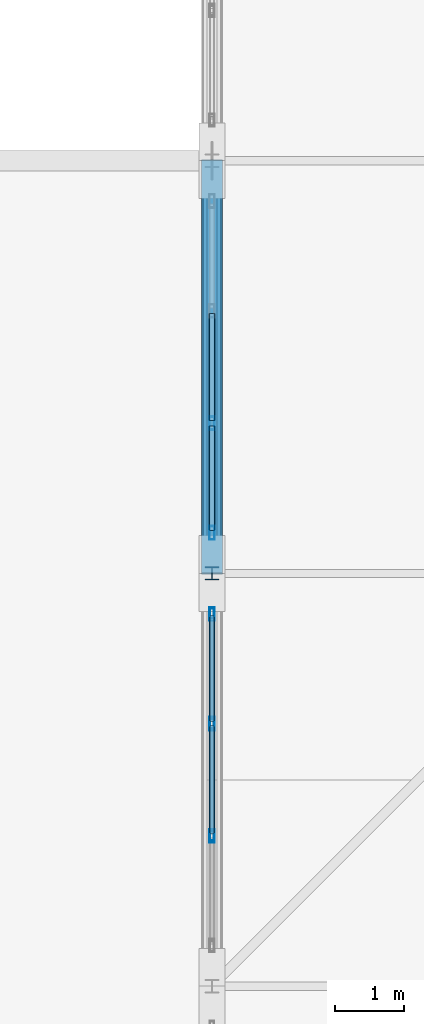
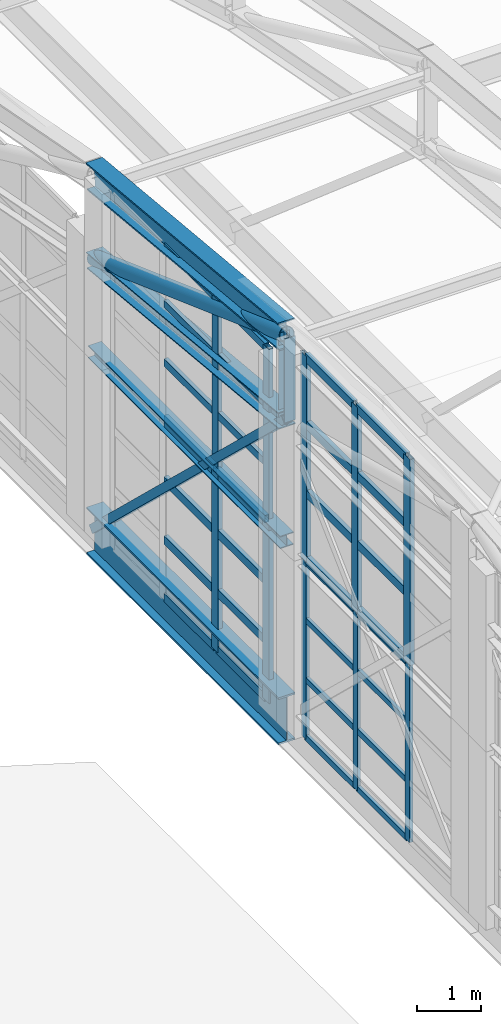
# One storey, part 82 of 204: 49 members, 4 elements without a shape of their own.
"""IFC4 building model written with IfcOpenShell, lengths in metres."""

from ifc_helpers import new_model, si_unit, direction, frame, origin, origin_2d, place, context, subcontext, project, spatial, hollow_rectangle, hollow_circle, i_section, extrude, material, layer, layer_set, material_profile, profile_set, type_object, element, aggregate, save


model = new_model("IFC4")

# Units and contexts
model_context = context("Model", 3, precision=1e-05, world=origin(), true_north=direction((0.0, 1.0)))
body_context = subcontext(model_context, "Body", "Model", "MODEL_VIEW")
ifc_project = project(units=[si_unit("LENGTHUNIT", "METRE"), si_unit("AREAUNIT", "SQUARE_METRE"), si_unit("VOLUMEUNIT", "CUBIC_METRE"), si_unit("PLANEANGLEUNIT", "RADIAN"), si_unit("MASSUNIT", "GRAM", prefix="KILO")], contexts=[model_context])

# Site, building, storey
site_placement = place(None, origin())
site = spatial("IfcSite", under=ifc_project, at=site_placement, CompositionType="ELEMENT")
building_placement = place(site_placement, origin())
building = spatial("IfcBuilding", under=site, at=building_placement, Name="Zilviju Railside Exhibition Hall", CompositionType="ELEMENT")
storey_placement = place(building_placement, frame((0.0, 0.0, 21.0)))
storey = spatial("IfcBuildingStorey", under=building, at=storey_placement, Name="RF", CompositionType="ELEMENT", Elevation=21.0)

# Curtain wall, members
ifc_material_1 = material(Name="Thermally broken aluminium-steel triple-glazed curtain wall", Category="steel")
ifc_layer_1 = layer(ifc_material_1, 0.179931640625)
ifc_layer_set_1 = layer_set([ifc_layer_1], Name="Thermally broken aluminium-steel triple-glazed curtain wall")
curtain_wall_type_1 = type_object("IfcCurtainWallType", Name="CW-BAY-03", PredefinedType="USERDEFINED", material=ifc_layer_set_1)
curtain_wall_1_placement = place(storey_placement, origin())
curtain_wall_1 = element("IfcCurtainWall", 1, at=curtain_wall_1_placement, inside=storey, type_object=curtain_wall_type_1, Name="North Hall Arch Lower Tympanum Glazing West P5", ObjectType="GLAZED CURTAIN WALL", PredefinedType="USERDEFINED")
ifc_material_2 = material(Name="Thermally broken anodized aluminium mullion", Category="aluminium")
ifc_material_profile_1 = material_profile(ifc_material_2, hollow_rectangle(XDim=0.06005859375, YDim=0.139892578125, WallThickness=0.0048828125, at=origin_2d()), Name="MULLION 140x60x5")
ifc_profile_set_1 = profile_set([ifc_material_profile_1], Name="Thermally broken anodized aluminium mullion")
member_type_1 = type_object("IfcMemberType", Name="CWM-60x140", PredefinedType="MULLION", material=ifc_profile_set_1)
member_1_placement = place(storey_placement, frame((78.0, 110.183349609375, -3.60009765625), z_axis=(0.0, 0.0, 1.0), x_axis=(-1.0, 0.0, 0.0)))
member_1 = element("IfcMember", 2, at=member_1_placement, type_object=member_type_1, Name="CW-03 mullion 2", PredefinedType="MULLION", context=body_context, shape_type="SweptSolid", body=[
    extrude(hollow_rectangle(XDim=0.06005859375, YDim=0.139892578125, WallThickness=0.0048828125, at=origin_2d()), origin(), (0.0, 0.0, 1.0), 3.400146484375),
])
member_2_placement = place(storey_placement, frame((78.0, 111.816650390625, -3.60009765625), z_axis=(0.0, 0.0, 1.0), x_axis=(-1.0, 0.0, 0.0)))
member_2 = element("IfcMember", 3, at=member_2_placement, type_object=member_type_1, Name="CW-03 mullion 3", PredefinedType="MULLION", context=body_context, shape_type="SweptSolid", body=[
    extrude(hollow_rectangle(XDim=0.06005859375, YDim=0.139892578125, WallThickness=0.0048828125, at=origin_2d()), origin(), (0.0, 0.0, 1.0), 3.400146484375),
])
member_3_placement = place(storey_placement, frame((78.0, 113.419921875, -3.60009765625), z_axis=(0.0, 0.0, 1.0), x_axis=(-1.0, 0.0, 0.0)))
member_3 = element("IfcMember", 4, at=member_3_placement, type_object=member_type_1, Name="CW-03 mullion 4", PredefinedType="MULLION", context=body_context, shape_type="SweptSolid", body=[
    extrude(hollow_rectangle(XDim=0.06005859375, YDim=0.139892578125, WallThickness=0.0048828125, at=origin_2d()), origin(), (0.0, 0.0, 1.0), 3.400146484375),
])

ifc_layer_2 = layer(ifc_material_1, 0.179931640625)
ifc_layer_set_2 = layer_set([ifc_layer_2], Name="Thermally broken aluminium-steel triple-glazed curtain wall")
curtain_wall_type_2 = type_object("IfcCurtainWallType", Name="CW-BAY-11", PredefinedType="USERDEFINED", material=ifc_layer_set_2)
curtain_wall_2_placement = place(storey_placement, origin())
curtain_wall_2 = element("IfcCurtainWall", 5, at=curtain_wall_2_placement, inside=storey, type_object=curtain_wall_type_2, Name="North Hall Crown Arch Tympanum Glazing West P6", ObjectType="GLAZED CURTAIN WALL", PredefinedType="USERDEFINED")
ifc_material_profile_2 = material_profile(ifc_material_2, hollow_rectangle(XDim=0.074951171875, YDim=0.18994140625, WallThickness=0.0048828125, at=origin_2d()), Name="MULLION 190x75x5")
ifc_profile_set_2 = profile_set([ifc_material_profile_2], Name="Thermally broken anodized aluminium mullion")
member_type_2 = type_object("IfcMemberType", Name="CWM-75x190", PredefinedType="MULLION", material=ifc_profile_set_2)
member_4_placement = place(storey_placement, frame((78.0, 114.58740234375, -0.199951171875), z_axis=(0.0, 0.0, 1.0), x_axis=(-1.0, 0.0, 0.0)))
member_4 = element("IfcMember", 6, at=member_4_placement, type_object=member_type_2, Name="CW-11 mullion 1", PredefinedType="MULLION", context=body_context, shape_type="SweptSolid", body=[
    extrude(hollow_rectangle(XDim=0.074951171875, YDim=0.18994140625, WallThickness=0.0048828125, at=origin_2d()), origin(), (0.0, 0.0, 1.0), 3.35546875),
])
member_5_placement = place(storey_placement, frame((78.0, 116.183349609375, -0.199951171875), z_axis=(0.0, 0.0, 1.0), x_axis=(-1.0, 0.0, 0.0)))
member_5 = element("IfcMember", 7, at=member_5_placement, type_object=member_type_2, Name="CW-11 mullion 2", PredefinedType="MULLION", context=body_context, shape_type="SweptSolid", body=[
    extrude(hollow_rectangle(XDim=0.074951171875, YDim=0.18994140625, WallThickness=0.0048828125, at=origin_2d()), origin(), (0.0, 0.0, 1.0), 3.35546875),
])

ifc_layer_3 = layer(ifc_material_1, 0.179931640625)
ifc_layer_set_3 = layer_set([ifc_layer_3], Name="Thermally broken aluminium-steel triple-glazed curtain wall")
curtain_wall_type_3 = type_object("IfcCurtainWallType", Name="CW-BAY-04", PredefinedType="USERDEFINED", material=ifc_layer_set_3)
curtain_wall_3_placement = place(storey_placement, origin())
curtain_wall_3 = element("IfcCurtainWall", 8, at=curtain_wall_3_placement, inside=storey, type_object=curtain_wall_type_3, Name="North Hall Arch Lower Tympanum Glazing West P6", ObjectType="GLAZED CURTAIN WALL", PredefinedType="USERDEFINED")
ifc_material_profile_3 = material_profile(ifc_material_2, hollow_rectangle(XDim=0.080078125, YDim=0.199951171875, WallThickness=0.0048828125, at=origin_2d()), Name="MULLION 200x80x5")
ifc_profile_set_3 = profile_set([ifc_material_profile_3], Name="Thermally broken anodized aluminium mullion")
member_type_3 = type_object("IfcMemberType", Name="CWM-80x200", PredefinedType="MULLION", material=ifc_profile_set_3)
member_6_placement = place(storey_placement, frame((78.0, 114.590087890625, -3.60009765625), z_axis=(0.0, 0.0, 1.0), x_axis=(-1.0, 0.0, 0.0)))
member_6 = element("IfcMember", 9, at=member_6_placement, type_object=member_type_3, Name="CW-04 mullion 1", PredefinedType="MULLION", context=body_context, shape_type="SweptSolid", body=[
    extrude(hollow_rectangle(XDim=0.080078125, YDim=0.199951171875, WallThickness=0.0048828125, at=origin_2d()), origin(), (0.0, 0.0, 1.0), 3.400146484375),
])
member_7_placement = place(storey_placement, frame((78.0, 116.183349609375, -3.60009765625), z_axis=(0.0, 0.0, 1.0), x_axis=(-1.0, 0.0, 0.0)))
member_7 = element("IfcMember", 10, at=member_7_placement, type_object=member_type_3, Name="CW-04 mullion 2", PredefinedType="MULLION", context=body_context, shape_type="SweptSolid", body=[
    extrude(hollow_rectangle(XDim=0.080078125, YDim=0.199951171875, WallThickness=0.0048828125, at=origin_2d()), origin(), (0.0, 0.0, 1.0), 3.400146484375),
])

ifc_layer_4 = layer(ifc_material_1, 0.179931640625)
ifc_layer_set_4 = layer_set([ifc_layer_4], Name="Thermally broken aluminium-steel triple-glazed curtain wall")
curtain_wall_type_4 = type_object("IfcCurtainWallType", Name="CW-BAY-10", PredefinedType="USERDEFINED", material=ifc_layer_set_4)
curtain_wall_4_placement = place(storey_placement, origin())
curtain_wall_4 = element("IfcCurtainWall", 11, at=curtain_wall_4_placement, inside=storey, type_object=curtain_wall_type_4, Name="North Hall Crown Arch Tympanum Glazing West P5", ObjectType="GLAZED CURTAIN WALL", PredefinedType="USERDEFINED")
member_8_placement = place(storey_placement, frame((78.0, 110.183349609375, -0.199951171875), z_axis=(0.0, 0.0, 1.0), x_axis=(-1.0, 0.0, 0.0)))
member_8 = element("IfcMember", 12, at=member_8_placement, type_object=member_type_3, Name="CW-10 mullion 2", PredefinedType="MULLION", context=body_context, shape_type="SweptSolid", body=[
    extrude(hollow_rectangle(XDim=0.080078125, YDim=0.199951171875, WallThickness=0.0048828125, at=origin_2d()), origin(), (0.0, 0.0, 1.0), 3.928466796875),
])
member_9_placement = place(storey_placement, frame((78.0, 111.816650390625, -0.199951171875), z_axis=(0.0, 0.0, 1.0), x_axis=(-1.0, 0.0, 0.0)))
member_9 = element("IfcMember", 13, at=member_9_placement, type_object=member_type_3, Name="CW-10 mullion 3", PredefinedType="MULLION", context=body_context, shape_type="SweptSolid", body=[
    extrude(hollow_rectangle(XDim=0.080078125, YDim=0.199951171875, WallThickness=0.0048828125, at=origin_2d()), origin(), (0.0, 0.0, 1.0), 3.928466796875),
])
member_10_placement = place(storey_placement, frame((78.0, 113.409912109375, -0.199951171875), z_axis=(0.0, 0.0, 1.0), x_axis=(-1.0, 0.0, 0.0)))
member_10 = element("IfcMember", 14, at=member_10_placement, type_object=member_type_3, Name="CW-10 mullion 4", PredefinedType="MULLION", context=body_context, shape_type="SweptSolid", body=[
    extrude(hollow_rectangle(XDim=0.080078125, YDim=0.199951171875, WallThickness=0.0048828125, at=origin_2d()), origin(), (0.0, 0.0, 1.0), 3.928466796875),
])

# Member
ifc_material_3 = material(Name="Thermally broken anodized aluminium transom", Category="aluminium")
ifc_material_profile_4 = material_profile(ifc_material_3, hollow_rectangle(XDim=0.06005859375, YDim=0.110107421875, WallThickness=0.0048828125, at=origin_2d()), Name="TRANSOM 110x60x5")
ifc_profile_set_4 = profile_set([ifc_material_profile_4], Name="Thermally broken anodized aluminium transom")
member_type_4 = type_object("IfcMemberType", Name="CWT-60x110", PredefinedType="USERDEFINED", material=ifc_profile_set_4)
member_11_placement = place(storey_placement, frame((78.0, 110.21337890625, -3.570068359375), z_axis=(0.0, 1.0, 0.0), x_axis=(-1.0, 0.0, 0.0)))
member_11 = element("IfcMember", 15, at=member_11_placement, type_object=member_type_4, Name="CW-03 transom 2.1", ObjectType="TRANSOM", PredefinedType="USERDEFINED", context=body_context, shape_type="SweptSolid", body=[
    extrude(hollow_rectangle(XDim=0.06005859375, YDim=0.110107421875, WallThickness=0.0048828125, at=origin_2d()), origin(), (0.0, 0.0, 1.0), 1.5732421875),
])

member_12_placement = place(storey_placement, frame((78.0, 110.21337890625, -2.467041015625), z_axis=(0.0, 1.0, 0.0), x_axis=(-1.0, 0.0, 0.0)))
member_12 = element("IfcMember", 16, at=member_12_placement, type_object=member_type_4, Name="CW-03 transom 2.2", ObjectType="TRANSOM", PredefinedType="USERDEFINED", context=body_context, shape_type="SweptSolid", body=[
    extrude(hollow_rectangle(XDim=0.06005859375, YDim=0.110107421875, WallThickness=0.0048828125, at=origin_2d()), origin(), (0.0, 0.0, 1.0), 1.5732421875),
])

member_13_placement = place(storey_placement, frame((78.0, 110.21337890625, -1.3330078125), z_axis=(0.0, 1.0, 0.0), x_axis=(-1.0, 0.0, 0.0)))
member_13 = element("IfcMember", 17, at=member_13_placement, type_object=member_type_4, Name="CW-03 transom 2.3", ObjectType="TRANSOM", PredefinedType="USERDEFINED", context=body_context, shape_type="SweptSolid", body=[
    extrude(hollow_rectangle(XDim=0.06005859375, YDim=0.110107421875, WallThickness=0.0048828125, at=origin_2d()), origin(), (0.0, 0.0, 1.0), 1.5732421875),
])

member_14_placement = place(storey_placement, frame((78.0, 110.21337890625, -0.22998046875), z_axis=(0.0, 1.0, 0.0), x_axis=(-1.0, 0.0, 0.0)))
member_14 = element("IfcMember", 18, at=member_14_placement, type_object=member_type_4, Name="CW-03 transom 2.4", ObjectType="TRANSOM", PredefinedType="USERDEFINED", context=body_context, shape_type="SweptSolid", body=[
    extrude(hollow_rectangle(XDim=0.06005859375, YDim=0.110107421875, WallThickness=0.0048828125, at=origin_2d()), origin(), (0.0, 0.0, 1.0), 1.5732421875),
])

member_15_placement = place(storey_placement, frame((78.0, 111.8466796875, -3.570068359375), z_axis=(0.0, 1.0, 0.0), x_axis=(-1.0, 0.0, 0.0)))
member_15 = element("IfcMember", 19, at=member_15_placement, type_object=member_type_4, Name="CW-03 transom 3.1", ObjectType="TRANSOM", PredefinedType="USERDEFINED", context=body_context, shape_type="SweptSolid", body=[
    extrude(hollow_rectangle(XDim=0.06005859375, YDim=0.110107421875, WallThickness=0.0048828125, at=origin_2d()), origin(), (0.0, 0.0, 1.0), 1.543212890625),
])

member_16_placement = place(storey_placement, frame((78.0, 111.8466796875, -2.467041015625), z_axis=(0.0, 1.0, 0.0), x_axis=(-1.0, 0.0, 0.0)))
member_16 = element("IfcMember", 20, at=member_16_placement, type_object=member_type_4, Name="CW-03 transom 3.2", ObjectType="TRANSOM", PredefinedType="USERDEFINED", context=body_context, shape_type="SweptSolid", body=[
    extrude(hollow_rectangle(XDim=0.06005859375, YDim=0.110107421875, WallThickness=0.0048828125, at=origin_2d()), origin(), (0.0, 0.0, 1.0), 1.543212890625),
])

member_17_placement = place(storey_placement, frame((78.0, 111.8466796875, -1.3330078125), z_axis=(0.0, 1.0, 0.0), x_axis=(-1.0, 0.0, 0.0)))
member_17 = element("IfcMember", 21, at=member_17_placement, type_object=member_type_4, Name="CW-03 transom 3.3", ObjectType="TRANSOM", PredefinedType="USERDEFINED", context=body_context, shape_type="SweptSolid", body=[
    extrude(hollow_rectangle(XDim=0.06005859375, YDim=0.110107421875, WallThickness=0.0048828125, at=origin_2d()), origin(), (0.0, 0.0, 1.0), 1.543212890625),
])

member_18_placement = place(storey_placement, frame((78.0, 111.8466796875, -0.22998046875), z_axis=(0.0, 1.0, 0.0), x_axis=(-1.0, 0.0, 0.0)))
member_18 = element("IfcMember", 22, at=member_18_placement, type_object=member_type_4, Name="CW-03 transom 3.4", ObjectType="TRANSOM", PredefinedType="USERDEFINED", context=body_context, shape_type="SweptSolid", body=[
    extrude(hollow_rectangle(XDim=0.06005859375, YDim=0.110107421875, WallThickness=0.0048828125, at=origin_2d()), origin(), (0.0, 0.0, 1.0), 1.543212890625),
])

aggregate(curtain_wall_1, [member_1, member_2, member_3, member_11, member_12, member_13, member_14, member_15, member_16, member_17, member_18])

ifc_material_profile_5 = material_profile(ifc_material_3, hollow_rectangle(XDim=0.074951171875, YDim=0.139892578125, WallThickness=0.0048828125, at=origin_2d()), Name="TRANSOM 140x75x5")
ifc_profile_set_5 = profile_set([ifc_material_profile_5], Name="Thermally broken anodized aluminium transom")
member_type_5 = type_object("IfcMemberType", Name="CWT-75x140", PredefinedType="USERDEFINED", material=ifc_profile_set_5)
member_19_placement = place(storey_placement, frame((78.0, 114.625, -0.16259765625), z_axis=(0.0, 1.0, 0.0), x_axis=(-1.0, 0.0, 0.0)))
member_19 = element("IfcMember", 23, at=member_19_placement, type_object=member_type_5, Name="CW-11 transom 1.1", ObjectType="TRANSOM", PredefinedType="USERDEFINED", context=body_context, shape_type="SweptSolid", body=[
    extrude(hollow_rectangle(XDim=0.074951171875, YDim=0.139892578125, WallThickness=0.0048828125, at=origin_2d()), origin(), (0.0, 0.0, 1.0), 1.520751953125),
])

member_20_placement = place(storey_placement, frame((78.0, 114.625, 0.9189453125), z_axis=(0.0, 1.0, 0.0), x_axis=(-1.0, 0.0, 0.0)))
member_20 = element("IfcMember", 24, at=member_20_placement, type_object=member_type_5, Name="CW-11 transom 1.2", ObjectType="TRANSOM", PredefinedType="USERDEFINED", context=body_context, shape_type="SweptSolid", body=[
    extrude(hollow_rectangle(XDim=0.074951171875, YDim=0.139892578125, WallThickness=0.0048828125, at=origin_2d()), origin(), (0.0, 0.0, 1.0), 1.520751953125),
])

member_21_placement = place(storey_placement, frame((78.0, 114.625, 2.037109375), z_axis=(0.0, 1.0, 0.0), x_axis=(-1.0, 0.0, 0.0)))
member_21 = element("IfcMember", 25, at=member_21_placement, type_object=member_type_5, Name="CW-11 transom 1.3", ObjectType="TRANSOM", PredefinedType="USERDEFINED", context=body_context, shape_type="SweptSolid", body=[
    extrude(hollow_rectangle(XDim=0.074951171875, YDim=0.139892578125, WallThickness=0.0048828125, at=origin_2d()), origin(), (0.0, 0.0, 1.0), 1.520751953125),
])

member_22_placement = place(storey_placement, frame((78.0, 114.625, 3.1181640625), z_axis=(0.0, 1.0, 0.0), x_axis=(-1.0, 0.0, 0.0)))
member_22 = element("IfcMember", 26, at=member_22_placement, type_object=member_type_5, Name="CW-11 transom 1.4", ObjectType="TRANSOM", PredefinedType="USERDEFINED", context=body_context, shape_type="SweptSolid", body=[
    extrude(hollow_rectangle(XDim=0.074951171875, YDim=0.139892578125, WallThickness=0.0048828125, at=origin_2d()), origin(), (0.0, 0.0, 1.0), 1.520751953125),
])

member_23_placement = place(storey_placement, frame((78.0, 116.220947265625, -0.16259765625), z_axis=(0.0, 1.0, 0.0), x_axis=(-1.0, 0.0, 0.0)))
member_23 = element("IfcMember", 27, at=member_23_placement, type_object=member_type_5, Name="CW-11 transom 2.1", ObjectType="TRANSOM", PredefinedType="USERDEFINED", context=body_context, shape_type="SweptSolid", body=[
    extrude(hollow_rectangle(XDim=0.074951171875, YDim=0.139892578125, WallThickness=0.0048828125, at=origin_2d()), origin(), (0.0, 0.0, 1.0), 1.55810546875),
])

member_24_placement = place(storey_placement, frame((78.0, 116.220947265625, 0.9189453125), z_axis=(0.0, 1.0, 0.0), x_axis=(-1.0, 0.0, 0.0)))
member_24 = element("IfcMember", 28, at=member_24_placement, type_object=member_type_5, Name="CW-11 transom 2.2", ObjectType="TRANSOM", PredefinedType="USERDEFINED", context=body_context, shape_type="SweptSolid", body=[
    extrude(hollow_rectangle(XDim=0.074951171875, YDim=0.139892578125, WallThickness=0.0048828125, at=origin_2d()), origin(), (0.0, 0.0, 1.0), 1.55810546875),
])

member_25_placement = place(storey_placement, frame((78.0, 116.220947265625, 2.037109375), z_axis=(0.0, 1.0, 0.0), x_axis=(-1.0, 0.0, 0.0)))
member_25 = element("IfcMember", 29, at=member_25_placement, type_object=member_type_5, Name="CW-11 transom 2.3", ObjectType="TRANSOM", PredefinedType="USERDEFINED", context=body_context, shape_type="SweptSolid", body=[
    extrude(hollow_rectangle(XDim=0.074951171875, YDim=0.139892578125, WallThickness=0.0048828125, at=origin_2d()), origin(), (0.0, 0.0, 1.0), 1.55810546875),
])

member_26_placement = place(storey_placement, frame((78.0, 116.220947265625, 3.1181640625), z_axis=(0.0, 1.0, 0.0), x_axis=(-1.0, 0.0, 0.0)))
member_26 = element("IfcMember", 30, at=member_26_placement, type_object=member_type_5, Name="CW-11 transom 2.4", ObjectType="TRANSOM", PredefinedType="USERDEFINED", context=body_context, shape_type="SweptSolid", body=[
    extrude(hollow_rectangle(XDim=0.074951171875, YDim=0.139892578125, WallThickness=0.0048828125, at=origin_2d()), origin(), (0.0, 0.0, 1.0), 1.55810546875),
])

aggregate(curtain_wall_2, [member_4, member_5, member_19, member_20, member_21, member_22, member_23, member_24, member_25, member_26])

ifc_material_profile_6 = material_profile(ifc_material_3, hollow_rectangle(XDim=0.080078125, YDim=0.159912109375, WallThickness=0.0048828125, at=origin_2d()), Name="TRANSOM 160x80x5")
ifc_profile_set_6 = profile_set([ifc_material_profile_6], Name="Thermally broken anodized aluminium transom")
member_type_6 = type_object("IfcMemberType", Name="CWT-80x160", PredefinedType="USERDEFINED", material=ifc_profile_set_6)
member_27_placement = place(storey_placement, frame((78.0, 114.6298828125, -3.56005859375), z_axis=(0.0, 1.0, 0.0), x_axis=(-1.0, 0.0, 0.0)))
member_27 = element("IfcMember", 31, at=member_27_placement, type_object=member_type_6, Name="CW-04 transom 1.1", ObjectType="TRANSOM", PredefinedType="USERDEFINED", context=body_context, shape_type="SweptSolid", body=[
    extrude(hollow_rectangle(XDim=0.080078125, YDim=0.159912109375, WallThickness=0.0048828125, at=origin_2d()), origin(), (0.0, 0.0, 1.0), 1.513427734375),
])

member_28_placement = place(storey_placement, frame((78.0, 114.6298828125, -2.467041015625), z_axis=(0.0, 1.0, 0.0), x_axis=(-1.0, 0.0, 0.0)))
member_28 = element("IfcMember", 32, at=member_28_placement, type_object=member_type_6, Name="CW-04 transom 1.2", ObjectType="TRANSOM", PredefinedType="USERDEFINED", context=body_context, shape_type="SweptSolid", body=[
    extrude(hollow_rectangle(XDim=0.080078125, YDim=0.159912109375, WallThickness=0.0048828125, at=origin_2d()), origin(), (0.0, 0.0, 1.0), 1.513427734375),
])

member_29_placement = place(storey_placement, frame((78.0, 114.6298828125, -1.3330078125), z_axis=(0.0, 1.0, 0.0), x_axis=(-1.0, 0.0, 0.0)))
member_29 = element("IfcMember", 33, at=member_29_placement, type_object=member_type_6, Name="CW-04 transom 1.3", ObjectType="TRANSOM", PredefinedType="USERDEFINED", context=body_context, shape_type="SweptSolid", body=[
    extrude(hollow_rectangle(XDim=0.080078125, YDim=0.159912109375, WallThickness=0.0048828125, at=origin_2d()), origin(), (0.0, 0.0, 1.0), 1.513427734375),
])

member_30_placement = place(storey_placement, frame((78.0, 114.6298828125, -0.239990234375), z_axis=(0.0, 1.0, 0.0), x_axis=(-1.0, 0.0, 0.0)))
member_30 = element("IfcMember", 34, at=member_30_placement, type_object=member_type_6, Name="CW-04 transom 1.4", ObjectType="TRANSOM", PredefinedType="USERDEFINED", context=body_context, shape_type="SweptSolid", body=[
    extrude(hollow_rectangle(XDim=0.080078125, YDim=0.159912109375, WallThickness=0.0048828125, at=origin_2d()), origin(), (0.0, 0.0, 1.0), 1.513427734375),
])

member_31_placement = place(storey_placement, frame((78.0, 116.223388671875, -3.56005859375), z_axis=(0.0, 1.0, 0.0), x_axis=(-1.0, 0.0, 0.0)))
member_31 = element("IfcMember", 35, at=member_31_placement, type_object=member_type_6, Name="CW-04 transom 2.1", ObjectType="TRANSOM", PredefinedType="USERDEFINED", context=body_context, shape_type="SweptSolid", body=[
    extrude(hollow_rectangle(XDim=0.080078125, YDim=0.159912109375, WallThickness=0.0048828125, at=origin_2d()), origin(), (0.0, 0.0, 1.0), 1.55322265625),
])

member_32_placement = place(storey_placement, frame((78.0, 116.223388671875, -2.467041015625), z_axis=(0.0, 1.0, 0.0), x_axis=(-1.0, 0.0, 0.0)))
member_32 = element("IfcMember", 36, at=member_32_placement, type_object=member_type_6, Name="CW-04 transom 2.2", ObjectType="TRANSOM", PredefinedType="USERDEFINED", context=body_context, shape_type="SweptSolid", body=[
    extrude(hollow_rectangle(XDim=0.080078125, YDim=0.159912109375, WallThickness=0.0048828125, at=origin_2d()), origin(), (0.0, 0.0, 1.0), 1.55322265625),
])

member_33_placement = place(storey_placement, frame((78.0, 116.223388671875, -1.3330078125), z_axis=(0.0, 1.0, 0.0), x_axis=(-1.0, 0.0, 0.0)))
member_33 = element("IfcMember", 37, at=member_33_placement, type_object=member_type_6, Name="CW-04 transom 2.3", ObjectType="TRANSOM", PredefinedType="USERDEFINED", context=body_context, shape_type="SweptSolid", body=[
    extrude(hollow_rectangle(XDim=0.080078125, YDim=0.159912109375, WallThickness=0.0048828125, at=origin_2d()), origin(), (0.0, 0.0, 1.0), 1.55322265625),
])

member_34_placement = place(storey_placement, frame((78.0, 116.223388671875, -0.239990234375), z_axis=(0.0, 1.0, 0.0), x_axis=(-1.0, 0.0, 0.0)))
member_34 = element("IfcMember", 38, at=member_34_placement, type_object=member_type_6, Name="CW-04 transom 2.4", ObjectType="TRANSOM", PredefinedType="USERDEFINED", context=body_context, shape_type="SweptSolid", body=[
    extrude(hollow_rectangle(XDim=0.080078125, YDim=0.159912109375, WallThickness=0.0048828125, at=origin_2d()), origin(), (0.0, 0.0, 1.0), 1.55322265625),
])

aggregate(curtain_wall_3, [member_6, member_7, member_27, member_28, member_29, member_30, member_31, member_32, member_33, member_34])

member_35_placement = place(storey_placement, frame((78.0, 110.223388671875, -0.159912109375), z_axis=(0.0, 1.0, 0.0), x_axis=(-1.0, 0.0, 0.0)))
member_35 = element("IfcMember", 39, at=member_35_placement, type_object=member_type_6, Name="CW-10 transom 2.1", ObjectType="TRANSOM", PredefinedType="USERDEFINED", context=body_context, shape_type="SweptSolid", body=[
    extrude(hollow_rectangle(XDim=0.080078125, YDim=0.159912109375, WallThickness=0.0048828125, at=origin_2d()), origin(), (0.0, 0.0, 1.0), 1.55322265625),
])

member_36_placement = place(storey_placement, frame((78.0, 110.223388671875, 1.10888671875), z_axis=(0.0, 1.0, 0.0), x_axis=(-1.0, 0.0, 0.0)))
member_36 = element("IfcMember", 40, at=member_36_placement, type_object=member_type_6, Name="CW-10 transom 2.2", ObjectType="TRANSOM", PredefinedType="USERDEFINED", context=body_context, shape_type="SweptSolid", body=[
    extrude(hollow_rectangle(XDim=0.080078125, YDim=0.159912109375, WallThickness=0.0048828125, at=origin_2d()), origin(), (0.0, 0.0, 1.0), 1.55322265625),
])

member_37_placement = place(storey_placement, frame((78.0, 110.223388671875, 2.4189453125), z_axis=(0.0, 1.0, 0.0), x_axis=(-1.0, 0.0, 0.0)))
member_37 = element("IfcMember", 41, at=member_37_placement, type_object=member_type_6, Name="CW-10 transom 2.3", ObjectType="TRANSOM", PredefinedType="USERDEFINED", context=body_context, shape_type="SweptSolid", body=[
    extrude(hollow_rectangle(XDim=0.080078125, YDim=0.159912109375, WallThickness=0.0048828125, at=origin_2d()), origin(), (0.0, 0.0, 1.0), 1.55322265625),
])

member_38_placement = place(storey_placement, frame((78.0, 110.223388671875, 3.6884765625), z_axis=(0.0, 1.0, 0.0), x_axis=(-1.0, 0.0, 0.0)))
member_38 = element("IfcMember", 42, at=member_38_placement, type_object=member_type_6, Name="CW-10 transom 2.4", ObjectType="TRANSOM", PredefinedType="USERDEFINED", context=body_context, shape_type="SweptSolid", body=[
    extrude(hollow_rectangle(XDim=0.080078125, YDim=0.159912109375, WallThickness=0.0048828125, at=origin_2d()), origin(), (0.0, 0.0, 1.0), 1.55322265625),
])

member_39_placement = place(storey_placement, frame((78.0, 111.856689453125, -0.159912109375), z_axis=(0.0, 1.0, 0.0), x_axis=(-1.0, 0.0, 0.0)))
member_39 = element("IfcMember", 43, at=member_39_placement, type_object=member_type_6, Name="CW-10 transom 3.1", ObjectType="TRANSOM", PredefinedType="USERDEFINED", context=body_context, shape_type="SweptSolid", body=[
    extrude(hollow_rectangle(XDim=0.080078125, YDim=0.159912109375, WallThickness=0.0048828125, at=origin_2d()), origin(), (0.0, 0.0, 1.0), 1.513427734375),
])

member_40_placement = place(storey_placement, frame((78.0, 111.856689453125, 1.10888671875), z_axis=(0.0, 1.0, 0.0), x_axis=(-1.0, 0.0, 0.0)))
member_40 = element("IfcMember", 44, at=member_40_placement, type_object=member_type_6, Name="CW-10 transom 3.2", ObjectType="TRANSOM", PredefinedType="USERDEFINED", context=body_context, shape_type="SweptSolid", body=[
    extrude(hollow_rectangle(XDim=0.080078125, YDim=0.159912109375, WallThickness=0.0048828125, at=origin_2d()), origin(), (0.0, 0.0, 1.0), 1.513427734375),
])

member_41_placement = place(storey_placement, frame((78.0, 111.856689453125, 2.4189453125), z_axis=(0.0, 1.0, 0.0), x_axis=(-1.0, 0.0, 0.0)))
member_41 = element("IfcMember", 45, at=member_41_placement, type_object=member_type_6, Name="CW-10 transom 3.3", ObjectType="TRANSOM", PredefinedType="USERDEFINED", context=body_context, shape_type="SweptSolid", body=[
    extrude(hollow_rectangle(XDim=0.080078125, YDim=0.159912109375, WallThickness=0.0048828125, at=origin_2d()), origin(), (0.0, 0.0, 1.0), 1.513427734375),
])

member_42_placement = place(storey_placement, frame((78.0, 111.856689453125, 3.6884765625), z_axis=(0.0, 1.0, 0.0), x_axis=(-1.0, 0.0, 0.0)))
member_42 = element("IfcMember", 46, at=member_42_placement, type_object=member_type_6, Name="CW-10 transom 3.4", ObjectType="TRANSOM", PredefinedType="USERDEFINED", context=body_context, shape_type="SweptSolid", body=[
    extrude(hollow_rectangle(XDim=0.080078125, YDim=0.159912109375, WallThickness=0.0048828125, at=origin_2d()), origin(), (0.0, 0.0, 1.0), 1.513427734375),
])

aggregate(curtain_wall_4, [member_8, member_9, member_10, member_35, member_36, member_37, member_38, member_39, member_40, member_41, member_42])

# Members
ifc_material_4 = material(Name="Steel S355ML", Category="steel")
ifc_material_profile_7 = material_profile(ifc_material_4, hollow_circle(Radius=0.136474609375, WallThickness=0.012451171875, at=origin_2d()), Name="CHS 273.0x12.5")
ifc_profile_set_7 = profile_set([ifc_material_profile_7], Name="Steel S355ML")
member_type_7 = type_object("IfcMemberType", Name="TR-BR-CHS273", PredefinedType="BRACE", material=ifc_profile_set_7)
member_43_placement = place(storey_placement, frame((78.0, 114.0, 3.728515625), z_axis=(0.0, 0.940243888255, -0.340501733621), x_axis=(-1.0, 0.0, 0.0)))
element("IfcMember", 47, at=member_43_placement, inside=storey, type_object=member_type_7, Name="V2 Parabolic Arch Web Diagonal X=78.0 P6", PredefinedType="BRACE", context=body_context, shape_type="SweptSolid", body=[
    extrude(hollow_circle(Radius=0.136474609375, WallThickness=0.012451171875, at=origin_2d()), origin(), (0.0, 0.0, 1.0), 6.38134765625),
])
ifc_material_5 = material(Name="Steel S355J2", Category="steel")
ifc_material_profile_8 = material_profile(ifc_material_5, i_section(OverallWidth=0.239990234375, OverallDepth=0.239990234375, WebThickness=0.010009765625, FlangeThickness=0.01708984375, at=origin_2d()), Name="HEB 240")
ifc_profile_set_8 = profile_set([ifc_material_profile_8], Name="Steel S355J2")
member_type_8 = type_object("IfcMemberType", Name="TR-CH-HEB240", PredefinedType="CHORD", material=ifc_profile_set_8)
member_44_placement = place(storey_placement, frame((78.0, 114.0, -0.199951171875), z_axis=(0.0, 1.0, 0.0), x_axis=(-1.0, 0.0, 0.0)))
element("IfcMember", 48, at=member_44_placement, inside=storey, type_object=member_type_8, Name="V2 Crown Gable Transom X=78.0 (114..120)", PredefinedType="CHORD", context=body_context, shape_type="SweptSolid", body=[
    extrude(i_section(OverallWidth=0.239990234375, OverallDepth=0.239990234375, WebThickness=0.010009765625, FlangeThickness=0.01708984375, at=origin_2d()), origin(), (0.0, 0.0, 1.0), 6.0),
])
ifc_material_profile_9 = material_profile(ifc_material_4, i_section(OverallWidth=0.300048828125, OverallDepth=0.300048828125, WebThickness=0.010986328125, FlangeThickness=0.01904296875, at=origin_2d()), Name="HEB 300")
ifc_profile_set_9 = profile_set([ifc_material_profile_9], Name="Steel S355ML")
member_type_9 = type_object("IfcMemberType", Name="TR-CH-HEB300", PredefinedType="CHORD", material=ifc_profile_set_9)
member_45_placement = place(storey_placement, frame((78.0, 114.0, 2.12841796875), z_axis=(0.0, 0.995474695123, -0.095027003367), x_axis=(-1.0, 0.0, 0.0)))
element("IfcMember", 49, at=member_45_placement, inside=storey, type_object=member_type_9, Name="V2 Parabolic Arch Bottom Chord X=78.0 P6", PredefinedType="CHORD", context=body_context, shape_type="SweptSolid", body=[
    extrude(i_section(OverallWidth=0.300048828125, OverallDepth=0.300048828125, WebThickness=0.010986328125, FlangeThickness=0.01904296875, at=origin_2d()), origin(), (0.0, 0.0, 1.0), 6.02734375),
])
ifc_material_profile_10 = material_profile(ifc_material_4, i_section(OverallWidth=0.300048828125, OverallDepth=0.5, WebThickness=0.014404296875, FlangeThickness=0.028076171875, at=origin_2d()), Name="HEB 500")
ifc_profile_set_10 = profile_set([ifc_material_profile_10], Name="Steel S355ML")
member_type_10 = type_object("IfcMemberType", Name="TR-CH-HEB500-ML", PredefinedType="CHORD", material=ifc_profile_set_10)
member_46_placement = place(storey_placement, frame((78.0, 114.0, 3.728515625), z_axis=(0.0, 0.995470862587, -0.095067143331), x_axis=(-1.0, 0.0, 0.0)))
element("IfcMember", 50, at=member_46_placement, inside=storey, type_object=member_type_10, Name="V2 Parabolic Arch Top Chord X=78.0 P6", PredefinedType="CHORD", context=body_context, shape_type="SweptSolid", body=[
    extrude(i_section(OverallWidth=0.300048828125, OverallDepth=0.5, WebThickness=0.014404296875, FlangeThickness=0.028076171875, at=origin_2d()), origin(), (0.0, 0.0, 1.0), 6.02734375),
])
ifc_material_profile_11 = material_profile(ifc_material_4, i_section(OverallWidth=0.199951171875, OverallDepth=0.18994140625, WebThickness=0.006591796875, FlangeThickness=0.010009765625, at=origin_2d()), Name="HEA 200")
ifc_profile_set_11 = profile_set([ifc_material_profile_11], Name="Steel S355ML")
member_type_11 = type_object("IfcMemberType", Name="TR-POST-HEA200", PredefinedType="POST", material=ifc_profile_set_11)
member_47_placement = place(storey_placement, frame((78.0, 114.0, 2.12841796875), z_axis=(0.0, 0.0, 1.0), x_axis=(1.0, 0.0, 0.0)))
element("IfcMember", 51, at=member_47_placement, inside=storey, type_object=member_type_11, Name="V2 Parabolic Arch Web Post X=78.0 N5", PredefinedType="POST", context=body_context, shape_type="SweptSolid", body=[
    extrude(i_section(OverallWidth=0.199951171875, OverallDepth=0.18994140625, WebThickness=0.006591796875, FlangeThickness=0.010009765625, at=origin_2d()), origin(), (0.0, 0.0, 1.0), 1.60009765625),
])
ifc_material_profile_12 = material_profile(ifc_material_5, hollow_rectangle(XDim=0.14990234375, YDim=0.14990234375, WallThickness=0.008056640625, at=origin_2d()), Name="SHS 150x150x8.0")
ifc_profile_set_12 = profile_set([ifc_material_profile_12], Name="Steel S355J2")
member_type_12 = type_object("IfcMemberType", Name="TR-POST-SHS150", PredefinedType="POST", material=ifc_profile_set_12)
member_48_placement = place(storey_placement, frame((78.0, 120.0, -3.60009765625), z_axis=(0.0, -0.723280707221, 0.690554138763), x_axis=(1.0, 0.0, 0.0)))
element("IfcMember", 52, at=member_48_placement, inside=storey, type_object=member_type_12, Name="V2 Arch Tie Hanger X=78.0 N6", PredefinedType="POST", context=body_context, shape_type="SweptSolid", body=[
    extrude(hollow_rectangle(XDim=0.14990234375, YDim=0.14990234375, WallThickness=0.008056640625, at=origin_2d()), origin(), (0.0, 0.0, 1.0), 8.295654296875),
])
ifc_material_profile_13 = material_profile(ifc_material_5, i_section(OverallWidth=0.300048828125, OverallDepth=0.89990234375, WebThickness=0.0185546875, FlangeThickness=0.034912109375, at=origin_2d()), Name="HEB 900")
ifc_profile_set_13 = profile_set([ifc_material_profile_13], Name="Steel S355J2")
member_type_13 = type_object("IfcMemberType", Name="TR-TIE-HEB900", PredefinedType="CHORD", material=ifc_profile_set_13)
member_49_placement = place(storey_placement, frame((78.0, 114.0, -3.60009765625), z_axis=(0.0, 1.0, 0.0), x_axis=(-1.0, 0.0, 0.0)))
element("IfcMember", 53, at=member_49_placement, inside=storey, type_object=member_type_13, Name="V2 Arch Tie Member X=78.0", PredefinedType="CHORD", context=body_context, shape_type="SweptSolid", body=[
    extrude(i_section(OverallWidth=0.300048828125, OverallDepth=0.89990234375, WebThickness=0.0185546875, FlangeThickness=0.034912109375, at=origin_2d()), origin(), (0.0, 0.0, 1.0), 6.0),
])

save(model, "model.ifc")
